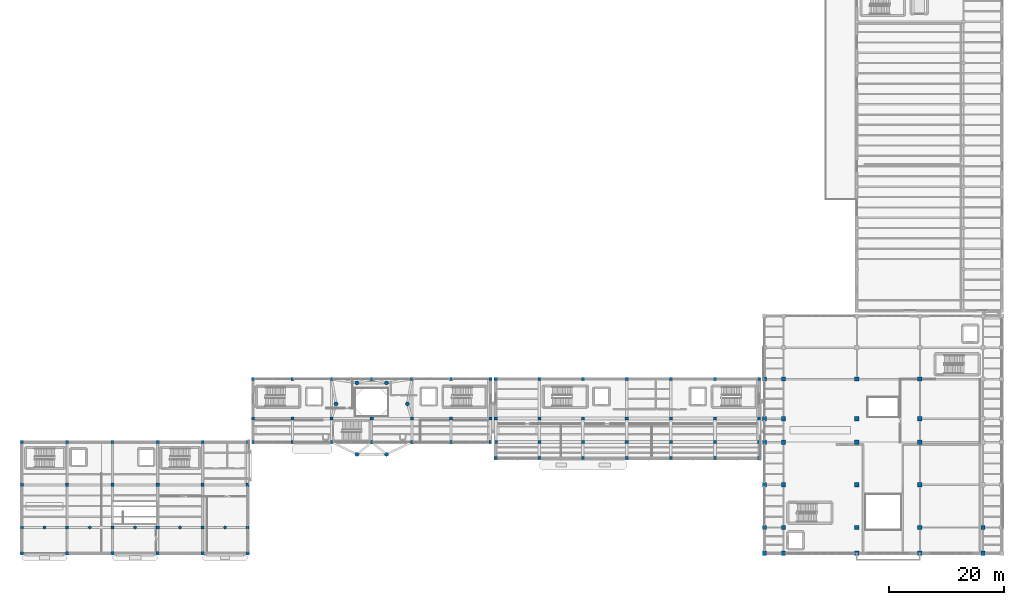
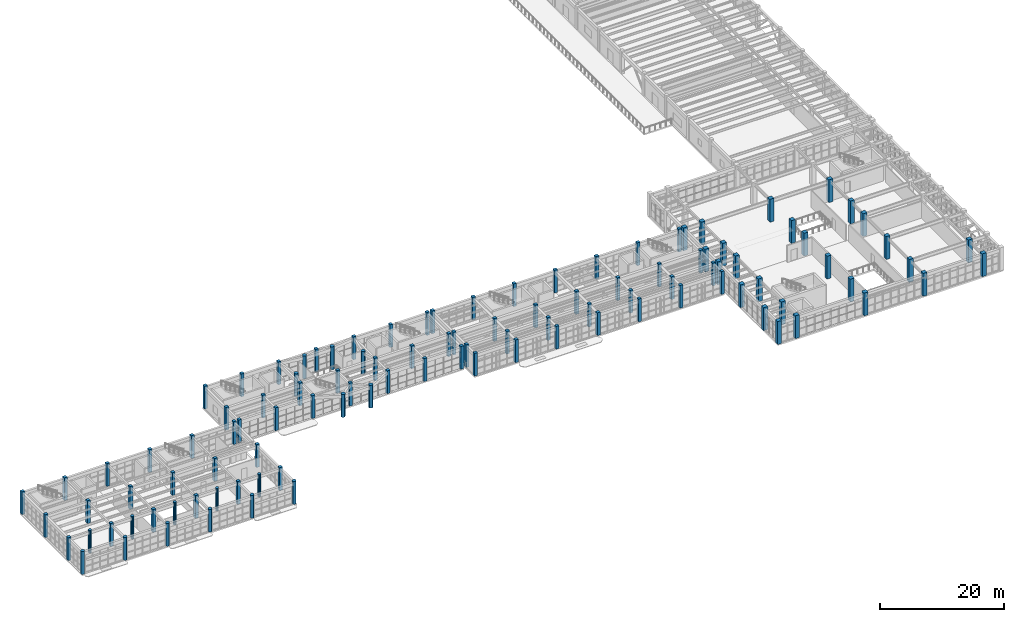
# One storey, part 1 of 85: 110 columns.
"""IFC4 building model written with IfcOpenShell, lengths in metres."""

from ifc_helpers import new_model, si_unit, direction, frame, origin, origin_2d, place, context, subcontext, project, spatial, rectangle, circle, extrude, material, material_profile, profile_set, type_object, element, save


model = new_model("IFC4")

# Units and contexts
model_context = context("Model", 3, precision=1e-05, world=origin(), true_north=direction((0.0, 1.0)))
body_context = subcontext(model_context, "Body", "Model", "MODEL_VIEW")
ifc_project = project(units=[si_unit("LENGTHUNIT", "METRE"), si_unit("AREAUNIT", "SQUARE_METRE"), si_unit("VOLUMEUNIT", "CUBIC_METRE"), si_unit("PLANEANGLEUNIT", "RADIAN"), si_unit("MASSUNIT", "GRAM", prefix="KILO")], contexts=[model_context])

# Site, building, storey
site_placement = place(None, origin())
site = spatial("IfcSite", under=ifc_project, at=site_placement, CompositionType="ELEMENT")
building_placement = place(site_placement, origin())
building = spatial("IfcBuilding", under=site, at=building_placement, Name="Candilejo Ridge Gondola Terminal", CompositionType="ELEMENT")
storey_placement = place(building_placement, frame((0.0, 0.0, 4.5)))
storey = spatial("IfcBuildingStorey", under=building, at=storey_placement, Name="L01", CompositionType="ELEMENT", Elevation=4.5)

# Columns
ifc_material_1 = material(Name="Concrete f'c 35 MPa (C35/45)", Category="concrete")
ifc_material_profile_1 = material_profile(ifc_material_1, circle(Radius=0.27490234375, at=origin_2d()))
ifc_profile_set_1 = profile_set([ifc_material_profile_1], Name="Concrete f'c 35 MPa (C35/45)")
column_type_1 = type_object("IfcColumnType", Name="ARC-PIL-RCD550", PredefinedType="PILASTER", material=ifc_profile_set_1)
for number, where, z_axis, x_axis, name in (
    (1, (8.25, 10.800048828125, 0.0), (0.0, 0.0, 1.0), (1.0, 0.0, 0.0), "Arcade pilaster L01-01"),
    (2, (16.14990234375, 10.800048828125, 0.0), (0.0, 0.0, 1.0), (1.0, 0.0, 0.0), "Arcade pilaster L01-02"),
    (3, (24.050048828125, 10.800048828125, 0.0), (0.0, 0.0, 1.0), (1.0, 0.0, 0.0), "Arcade pilaster L01-03"),
    (4, (31.919921875, 10.800048828125, 0.0), (0.0, 0.0, 1.0), (1.0, 0.0, 0.0), "Arcade pilaster L01-04"),
    (5, (39.780029296875, 10.800048828125, 0.0), (0.0, 0.0, 1.0), (1.0, 0.0, 0.0), "Arcade pilaster L01-05"),
):
    element("IfcColumn", number, at=place(storey_placement, frame(where, z_axis=z_axis, x_axis=x_axis)), inside=storey, type_object=column_type_1, Name=name, PredefinedType="PILASTER", context=body_context, shape_type="SweptSolid", body=[
        extrude(circle(Radius=0.27490234375, at=origin_2d()), origin(), (0.0, 0.0, 1.0), 4.5),
    ])
ifc_material_2 = material(Name="Concrete f'c 35 MPa (C35/45)", Category="concrete")
ifc_material_profile_2 = material_profile(ifc_material_2, rectangle(XDim=0.550048828125, YDim=0.550048828125, at=origin_2d()))
ifc_profile_set_2 = profile_set([ifc_material_profile_2], Name="Concrete f'c 35 MPa (C35/45)")
column_type_2 = type_object("IfcColumnType", Name="STR-COL-RC550", PredefinedType="COLUMN", material=ifc_profile_set_2)
for number, where, z_axis, x_axis, name in (
    (6, (4.300048828125, 10.800048828125, 0.0), (0.0, 0.0, 1.0), (1.0, 0.0, 0.0), "Column V1 L01 X01-Y02"),
    (7, (4.300048828125, 18.25, 0.0), (0.0, 0.0, 1.0), (1.0, 0.0, 0.0), "Column V1 L01 X01-Y03"),
    (8, (4.300048828125, 25.699951171875, 0.0), (0.0, 0.0, 1.0), (1.0, 0.0, 0.0), "Column V1 L01 X01-Y05"),
    (9, (12.199951171875, 10.800048828125, 0.0), (0.0, 0.0, 1.0), (1.0, 0.0, 0.0), "Column V1 L01 X02-Y02"),
    (10, (12.199951171875, 18.25, 0.0), (0.0, 0.0, 1.0), (1.0, 0.0, 0.0), "Column V1 L01 X02-Y03"),
    (11, (12.199951171875, 25.699951171875, 0.0), (0.0, 0.0, 1.0), (1.0, 0.0, 0.0), "Column V1 L01 X02-Y05"),
    (12, (20.10009765625, 10.800048828125, 0.0), (0.0, 0.0, 1.0), (1.0, 0.0, 0.0), "Column V1 L01 X03-Y02"),
    (13, (20.10009765625, 18.25, 0.0), (0.0, 0.0, 1.0), (1.0, 0.0, 0.0), "Column V1 L01 X03-Y03"),
    (14, (20.10009765625, 25.699951171875, 0.0), (0.0, 0.0, 1.0), (1.0, 0.0, 0.0), "Column V1 L01 X03-Y05"),
    (15, (28.0, 10.800048828125, 0.0), (0.0, 0.0, 1.0), (1.0, 0.0, 0.0), "Column V1 L01 X04-Y02"),
    (16, (28.0, 18.25, 0.0), (0.0, 0.0, 1.0), (1.0, 0.0, 0.0), "Column V1 L01 X04-Y03"),
    (17, (28.0, 25.699951171875, 0.0), (0.0, 0.0, 1.0), (1.0, 0.0, 0.0), "Column V1 L01 X04-Y05"),
    (18, (35.85009765625, 10.800048828125, 0.0), (0.0, 0.0, 1.0), (1.0, 0.0, 0.0), "Column V1 L01 X05-Y02"),
    (19, (35.85009765625, 18.25, 0.0), (0.0, 0.0, 1.0), (1.0, 0.0, 0.0), "Column V1 L01 X05-Y03"),
    (20, (35.85009765625, 25.699951171875, 0.0), (0.0, 0.0, 1.0), (1.0, 0.0, 0.0), "Column V1 L01 X05-Y05"),
    (21, (43.699951171875, 10.800048828125, 0.0), (0.0, 0.0, 1.0), (1.0, 0.0, 0.0), "Column V1 L01 X06-Y02"),
    (22, (43.699951171875, 18.25, 0.0), (0.0, 0.0, 1.0), (1.0, 0.0, 0.0), "Column V1 L01 X06-Y03"),
    (23, (43.699951171875, 25.699951171875, 0.0), (0.0, 0.0, 1.0), (1.0, 0.0, 0.0), "Column V1 L01 X06-Y05"),
    (24, (44.64990234375, 25.699951171875, 0.0), (0.0, 0.0, 1.0), (1.0, 0.0, 0.0), "Column V2 L01 X07-Y05"),
    (25, (44.64990234375, 29.800048828125, 0.0), (0.0, 0.0, 1.0), (1.0, 0.0, 0.0), "Column V2 L01 X07-Y06"),
    (26, (44.64990234375, 36.699951171875, 0.0), (0.0, 0.0, 1.0), (1.0, 0.0, 0.0), "Column V2 L01 X07-Y07"),
    (27, (51.5, 25.699951171875, 0.0), (0.0, 0.0, 1.0), (1.0, 0.0, 0.0), "Column V2 L01 X08-Y05"),
    (28, (51.5, 29.800048828125, 0.0), (0.0, 0.0, 1.0), (1.0, 0.0, 0.0), "Column V2 L01 X08-Y06"),
    (29, (51.5, 36.699951171875, 0.0), (0.0, 0.0, 1.0), (1.0, 0.0, 0.0), "Column V2 L01 X08-Y07"),
    (30, (58.35009765625, 25.699951171875, 0.0), (0.0, 0.0, 1.0), (1.0, 0.0, 0.0), "Column V2 L01 X09-Y05"),
    (31, (58.35009765625, 29.800048828125, 0.0), (0.0, 0.0, 1.0), (1.0, 0.0, 0.0), "Column V2 L01 X09-Y06"),
    (32, (58.35009765625, 36.699951171875, 0.0), (0.0, 0.0, 1.0), (1.0, 0.0, 0.0), "Column V2 L01 X09-Y07"),
    (33, (65.35009765625, 25.699951171875, 0.0), (0.0, 0.0, 1.0), (1.0, 0.0, 0.0), "Column V2 L01 X10-Y05"),
    (34, (65.35009765625, 29.800048828125, 0.0), (0.0, 0.0, 1.0), (1.0, 0.0, 0.0), "Column V2 L01 X10-Y06"),
    (35, (65.35009765625, 36.699951171875, 0.0), (0.0, 0.0, 1.0), (1.0, 0.0, 0.0), "Column V2 L01 X10-Y07"),
    (36, (72.35009765625, 25.699951171875, 0.0), (0.0, 0.0, 1.0), (1.0, 0.0, 0.0), "Column V2 L01 X11-Y05"),
    (37, (72.35009765625, 29.800048828125, 0.0), (0.0, 0.0, 1.0), (1.0, 0.0, 0.0), "Column V2 L01 X11-Y06"),
    (38, (72.35009765625, 36.699951171875, 0.0), (0.0, 0.0, 1.0), (1.0, 0.0, 0.0), "Column V2 L01 X11-Y07"),
    (39, (79.199951171875, 25.699951171875, 0.0), (0.0, 0.0, 1.0), (1.0, 0.0, 0.0), "Column V2 L01 X12-Y05"),
    (40, (79.199951171875, 29.800048828125, 0.0), (0.0, 0.0, 1.0), (1.0, 0.0, 0.0), "Column V2 L01 X12-Y06"),
    (41, (79.199951171875, 36.699951171875, 0.0), (0.0, 0.0, 1.0), (1.0, 0.0, 0.0), "Column V2 L01 X12-Y07"),
    (42, (86.050048828125, 25.699951171875, 0.0), (0.0, 0.0, 1.0), (1.0, 0.0, 0.0), "Column V2 L01 X13-Y05"),
    (43, (86.050048828125, 29.800048828125, 0.0), (0.0, 0.0, 1.0), (1.0, 0.0, 0.0), "Column V2 L01 X13-Y06"),
    (44, (86.050048828125, 36.699951171875, 0.0), (0.0, 0.0, 1.0), (1.0, 0.0, 0.0), "Column V2 L01 X13-Y07"),
    (45, (87.0, 22.89990234375, 0.0), (0.0, 0.0, 1.0), (1.0, 0.0, 0.0), "Column V3 L01 X14-Y04"),
    (46, (87.0, 25.699951171875, 0.0), (0.0, 0.0, 1.0), (1.0, 0.0, 0.0), "Column V3 L01 X14-Y05"),
    (47, (87.0, 29.800048828125, 0.0), (0.0, 0.0, 1.0), (1.0, 0.0, 0.0), "Column V3 L01 X14-Y06"),
    (48, (87.0, 36.699951171875, 0.0), (0.0, 0.0, 1.0), (1.0, 0.0, 0.0), "Column V3 L01 X14-Y07"),
    (49, (94.60009765625, 22.89990234375, 0.0), (0.0, 0.0, 1.0), (1.0, 0.0, 0.0), "Column V3 L01 X15-Y04"),
    (50, (94.60009765625, 25.699951171875, 0.0), (0.0, 0.0, 1.0), (1.0, 0.0, 0.0), "Column V3 L01 X15-Y05"),
    (51, (94.60009765625, 29.800048828125, 0.0), (0.0, 0.0, 1.0), (1.0, 0.0, 0.0), "Column V3 L01 X15-Y06"),
    (52, (94.60009765625, 36.699951171875, 0.0), (0.0, 0.0, 1.0), (1.0, 0.0, 0.0), "Column V3 L01 X15-Y07"),
    (53, (102.199951171875, 22.89990234375, 0.0), (0.0, 0.0, 1.0), (1.0, 0.0, 0.0), "Column V3 L01 X16-Y04"),
    (54, (102.199951171875, 25.699951171875, 0.0), (0.0, 0.0, 1.0), (1.0, 0.0, 0.0), "Column V3 L01 X16-Y05"),
    (55, (102.199951171875, 29.800048828125, 0.0), (0.0, 0.0, 1.0), (1.0, 0.0, 0.0), "Column V3 L01 X16-Y06"),
    (56, (102.199951171875, 36.699951171875, 0.0), (0.0, 0.0, 1.0), (1.0, 0.0, 0.0), "Column V3 L01 X16-Y07"),
    (57, (109.85009765625, 22.89990234375, 0.0), (0.0, 0.0, 1.0), (1.0, 0.0, 0.0), "Column V3 L01 X17-Y04"),
    (58, (109.85009765625, 25.699951171875, 0.0), (0.0, 0.0, 1.0), (1.0, 0.0, 0.0), "Column V3 L01 X17-Y05"),
    (59, (109.85009765625, 29.800048828125, 0.0), (0.0, 0.0, 1.0), (1.0, 0.0, 0.0), "Column V3 L01 X17-Y06"),
    (60, (109.85009765625, 36.699951171875, 0.0), (0.0, 0.0, 1.0), (1.0, 0.0, 0.0), "Column V3 L01 X17-Y07"),
    (61, (117.550048828125, 22.89990234375, 0.0), (0.0, 0.0, 1.0), (1.0, 0.0, 0.0), "Column V3 L01 X18-Y04"),
    (62, (117.550048828125, 25.699951171875, 0.0), (0.0, 0.0, 1.0), (1.0, 0.0, 0.0), "Column V3 L01 X18-Y05"),
    (63, (117.550048828125, 29.800048828125, 0.0), (0.0, 0.0, 1.0), (1.0, 0.0, 0.0), "Column V3 L01 X18-Y06"),
    (64, (117.550048828125, 36.699951171875, 0.0), (0.0, 0.0, 1.0), (1.0, 0.0, 0.0), "Column V3 L01 X18-Y07"),
    (65, (125.25, 22.89990234375, 0.0), (0.0, 0.0, 1.0), (1.0, 0.0, 0.0), "Column V3 L01 X19-Y04"),
    (66, (125.25, 25.699951171875, 0.0), (0.0, 0.0, 1.0), (1.0, 0.0, 0.0), "Column V3 L01 X19-Y05"),
    (67, (125.25, 29.800048828125, 0.0), (0.0, 0.0, 1.0), (1.0, 0.0, 0.0), "Column V3 L01 X19-Y06"),
    (68, (125.25, 36.699951171875, 0.0), (0.0, 0.0, 1.0), (1.0, 0.0, 0.0), "Column V3 L01 X19-Y07"),
    (69, (132.949951171875, 22.89990234375, 0.0), (0.0, 0.0, 1.0), (1.0, 0.0, 0.0), "Column V3 L01 X20-Y04"),
    (70, (132.949951171875, 25.699951171875, 0.0), (0.0, 0.0, 1.0), (1.0, 0.0, 0.0), "Column V3 L01 X20-Y05"),
    (71, (132.949951171875, 29.800048828125, 0.0), (0.0, 0.0, 1.0), (1.0, 0.0, 0.0), "Column V3 L01 X20-Y06"),
    (72, (132.949951171875, 36.699951171875, 0.0), (0.0, 0.0, 1.0), (1.0, 0.0, 0.0), "Column V3 L01 X20-Y07"),
):
    element("IfcColumn", number, at=place(storey_placement, frame(where, z_axis=z_axis, x_axis=x_axis)), inside=storey, type_object=column_type_2, Name=name, PredefinedType="COLUMN", context=body_context, shape_type="SweptSolid", body=[
        extrude(rectangle(XDim=0.550048828125, YDim=0.550048828125, at=origin_2d()), origin(), (0.0, 0.0, 1.0), 4.5),
    ])
ifc_material_3 = material(Name="Concrete f'c 35 MPa (C35/45)", Category="concrete")
ifc_material_profile_3 = material_profile(ifc_material_3, rectangle(XDim=0.75, YDim=0.75, at=origin_2d()))
ifc_profile_set_3 = profile_set([ifc_material_profile_3], Name="Concrete f'c 35 MPa (C35/45)")
column_type_3 = type_object("IfcColumnType", Name="STR-COL-RC750", PredefinedType="COLUMN", material=ifc_profile_set_3)
for number, where, z_axis, x_axis, name in (
    (73, (133.89990234375, 6.300048828125, 0.0), (0.0, 0.0, 1.0), (1.0, 0.0, 0.0), "Column V4 L01 X21-Y01"),
    (74, (133.89990234375, 10.800048828125, 0.0), (0.0, 0.0, 1.0), (1.0, 0.0, 0.0), "Column V4 L01 X21-Y02"),
    (75, (133.89990234375, 18.25, 0.0), (0.0, 0.0, 1.0), (1.0, 0.0, 0.0), "Column V4 L01 X21-Y03"),
    (76, (133.89990234375, 25.699951171875, 0.0), (0.0, 0.0, 1.0), (1.0, 0.0, 0.0), "Column V4 L01 X21-Y05"),
    (77, (133.89990234375, 29.800048828125, 0.0), (0.0, 0.0, 1.0), (1.0, 0.0, 0.0), "Column V4 L01 X21-Y06"),
    (78, (133.89990234375, 36.699951171875, 0.0), (0.0, 0.0, 1.0), (1.0, 0.0, 0.0), "Column V4 L01 X21-Y07"),
    (79, (137.199951171875, 6.300048828125, 0.0), (0.0, 0.0, 1.0), (1.0, 0.0, 0.0), "Column V4 L01 X22-Y01"),
    (80, (137.199951171875, 10.800048828125, 0.0), (0.0, 0.0, 1.0), (1.0, 0.0, 0.0), "Column V4 L01 X22-Y02"),
    (81, (137.199951171875, 18.25, 0.0), (0.0, 0.0, 1.0), (1.0, 0.0, 0.0), "Column V4 L01 X22-Y03"),
    (82, (137.199951171875, 25.699951171875, 0.0), (0.0, 0.0, 1.0), (1.0, 0.0, 0.0), "Column V4 L01 X22-Y05"),
    (83, (137.199951171875, 29.800048828125, 0.0), (0.0, 0.0, 1.0), (1.0, 0.0, 0.0), "Column V4 L01 X22-Y06"),
    (84, (137.199951171875, 36.699951171875, 0.0), (0.0, 0.0, 1.0), (1.0, 0.0, 0.0), "Column V4 L01 X22-Y07"),
    (85, (150.0, 6.300048828125, 0.0), (0.0, 0.0, 1.0), (1.0, 0.0, 0.0), "Column V4 L01 X23-Y01"),
    (86, (150.0, 10.800048828125, 0.0), (0.0, 0.0, 1.0), (1.0, 0.0, 0.0), "Column V4 L01 X23-Y02"),
    (87, (150.0, 18.25, 0.0), (0.0, 0.0, 1.0), (1.0, 0.0, 0.0), "Column V4 L01 X23-Y03"),
    (88, (150.0, 25.699951171875, 0.0), (0.0, 0.0, 1.0), (1.0, 0.0, 0.0), "Column V4 L01 X23-Y05"),
    (89, (150.0, 29.800048828125, 0.0), (0.0, 0.0, 1.0), (1.0, 0.0, 0.0), "Column V4 L01 X23-Y06"),
    (90, (150.0, 36.699951171875, 0.0), (0.0, 0.0, 1.0), (1.0, 0.0, 0.0), "Column V4 L01 X23-Y07"),
    (91, (161.0, 6.300048828125, 0.0), (0.0, 0.0, 1.0), (1.0, 0.0, 0.0), "Column V4 L01 X24-Y01"),
    (92, (161.0, 10.800048828125, 0.0), (0.0, 0.0, 1.0), (1.0, 0.0, 0.0), "Column V4 L01 X24-Y02"),
    (93, (161.0, 18.25, 0.0), (0.0, 0.0, 1.0), (1.0, 0.0, 0.0), "Column V4 L01 X24-Y03"),
    (94, (161.0, 25.699951171875, 0.0), (0.0, 0.0, 1.0), (1.0, 0.0, 0.0), "Column V4 L01 X24-Y05"),
    (95, (161.0, 29.800048828125, 0.0), (0.0, 0.0, 1.0), (1.0, 0.0, 0.0), "Column V4 L01 X24-Y06"),
    (96, (161.0, 36.699951171875, 0.0), (0.0, 0.0, 1.0), (1.0, 0.0, 0.0), "Column V4 L01 X24-Y07"),
    (97, (172.0, 6.300048828125, 0.0), (0.0, 0.0, 1.0), (1.0, 0.0, 0.0), "Column V4 L01 X26-Y01"),
    (98, (172.0, 10.800048828125, 0.0), (0.0, 0.0, 1.0), (1.0, 0.0, 0.0), "Column V4 L01 X26-Y02"),
):
    element("IfcColumn", number, at=place(storey_placement, frame(where, z_axis=z_axis, x_axis=x_axis)), inside=storey, type_object=column_type_3, Name=name, PredefinedType="COLUMN", context=body_context, shape_type="SweptSolid", body=[
        extrude(rectangle(XDim=0.75, YDim=0.75, at=origin_2d()), origin(), (0.0, 0.0, 1.0), 4.5),
    ])
ifc_material_4 = material(Name="Concrete f'c 35 MPa (C35/45)", Category="concrete")
ifc_material_profile_4 = material_profile(ifc_material_4, circle(Radius=0.324951171875, at=origin_2d()))
ifc_profile_set_4 = profile_set([ifc_material_profile_4], Name="Concrete f'c 35 MPa (C35/45)")
column_type_4 = type_object("IfcColumnType", Name="STR-COL-RCD650", PredefinedType="COLUMN", material=ifc_profile_set_4)
for number, where, z_axis, x_axis, name in (
    (99, (4.300048828125, 6.300048828125, 0.0), (0.0, 0.0, 1.0), (1.0, 0.0, 0.0), "Column V1 L01 X01-Y01"),
    (100, (12.199951171875, 6.300048828125, 0.0), (0.0, 0.0, 1.0), (1.0, 0.0, 0.0), "Column V1 L01 X02-Y01"),
    (101, (20.10009765625, 6.300048828125, 0.0), (0.0, 0.0, 1.0), (1.0, 0.0, 0.0), "Column V1 L01 X03-Y01"),
    (102, (28.0, 6.300048828125, 0.0), (0.0, 0.0, 1.0), (1.0, 0.0, 0.0), "Column V1 L01 X04-Y01"),
    (103, (35.85009765625, 6.300048828125, 0.0), (0.0, 0.0, 1.0), (1.0, 0.0, 0.0), "Column V1 L01 X05-Y01"),
    (104, (43.699951171875, 6.300048828125, 0.0), (0.0, 0.0, 1.0), (1.0, 0.0, 0.0), "Column V1 L01 X06-Y01"),
):
    element("IfcColumn", number, at=place(storey_placement, frame(where, z_axis=z_axis, x_axis=x_axis)), inside=storey, type_object=column_type_4, Name=name, PredefinedType="COLUMN", context=body_context, shape_type="SweptSolid", body=[
        extrude(circle(Radius=0.324951171875, at=origin_2d()), origin(), (0.0, 0.0, 1.0), 4.5),
    ])
ifc_material_5 = material(Name="Concrete f'c 35 MPa (C35/45)", Category="concrete")
ifc_material_profile_5 = material_profile(ifc_material_5, circle(Radius=0.35009765625, at=origin_2d()))
ifc_profile_set_5 = profile_set([ifc_material_profile_5], Name="Concrete f'c 35 MPa (C35/45)")
column_type_5 = type_object("IfcColumnType", Name="STR-COL-RCD700", PredefinedType="COLUMN", material=ifc_profile_set_5)
for number, where, z_axis, x_axis, name in (
    (105, (71.586181640625, 32.383056640625, 0.0), (0.0, 0.0, 1.0), (1.0, 0.0, 0.0), "Column V2 L01 ROT1-OCT"),
    (106, (67.93310546875, 36.0361328125, 0.0), (0.0, 0.0, 1.0), (1.0, 0.0, 0.0), "Column V2 L01 ROT2-OCT"),
    (107, (62.766845703125, 36.0361328125, 0.0), (0.0, 0.0, 1.0), (1.0, 0.0, 0.0), "Column V2 L01 ROT3-OCT"),
    (108, (59.11376953125, 32.383056640625, 0.0), (0.0, 0.0, 1.0), (1.0, 0.0, 0.0), "Column V2 L01 ROT4-OCT"),
    (109, (62.766845703125, 23.563720703125, 0.0), (0.0, 0.0, 1.0), (1.0, 0.0, 0.0), "Column V2 L01 ROT6-OCT"),
    (110, (67.93310546875, 23.563720703125, 0.0), (0.0, 0.0, 1.0), (1.0, 0.0, 0.0), "Column V2 L01 ROT7-OCT"),
):
    element("IfcColumn", number, at=place(storey_placement, frame(where, z_axis=z_axis, x_axis=x_axis)), inside=storey, type_object=column_type_5, Name=name, PredefinedType="COLUMN", context=body_context, shape_type="SweptSolid", body=[
        extrude(circle(Radius=0.35009765625, at=origin_2d()), origin(), (0.0, 0.0, 1.0), 4.5),
    ])

save(model, "model.ifc")
